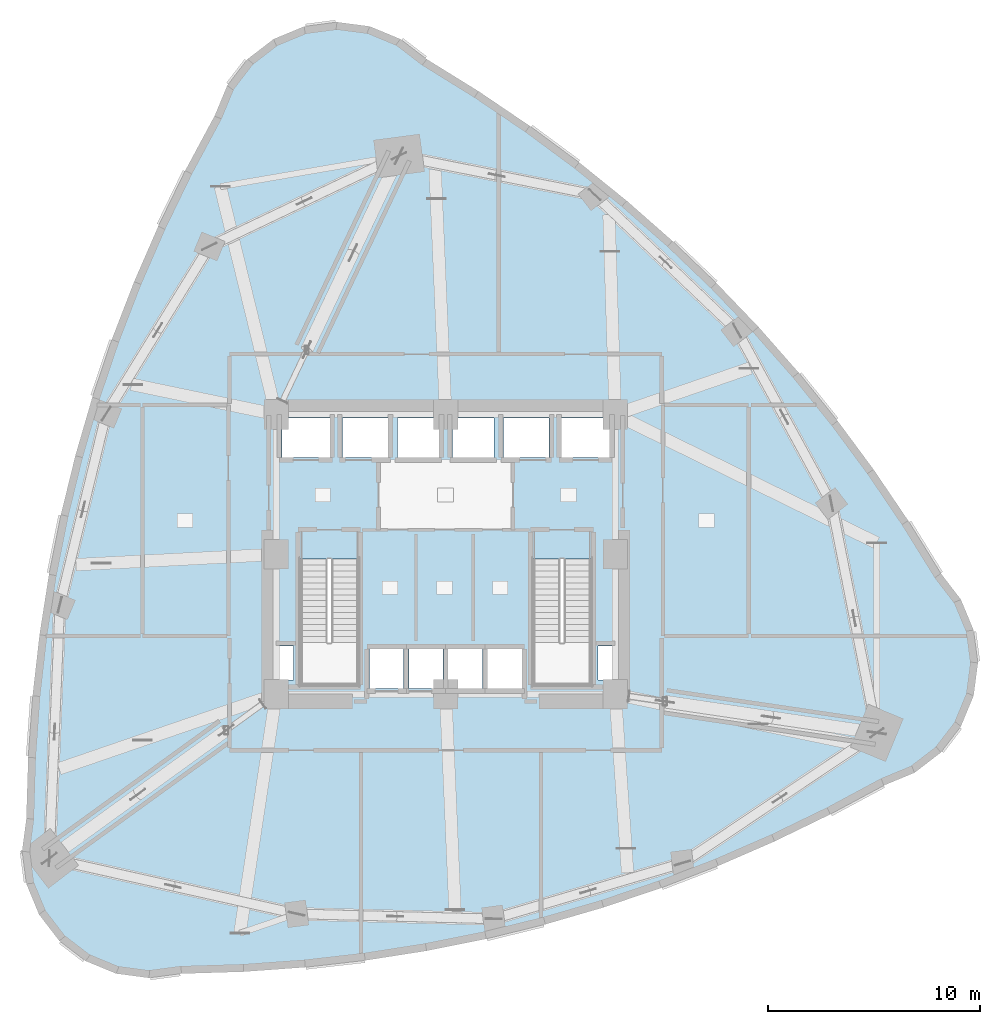
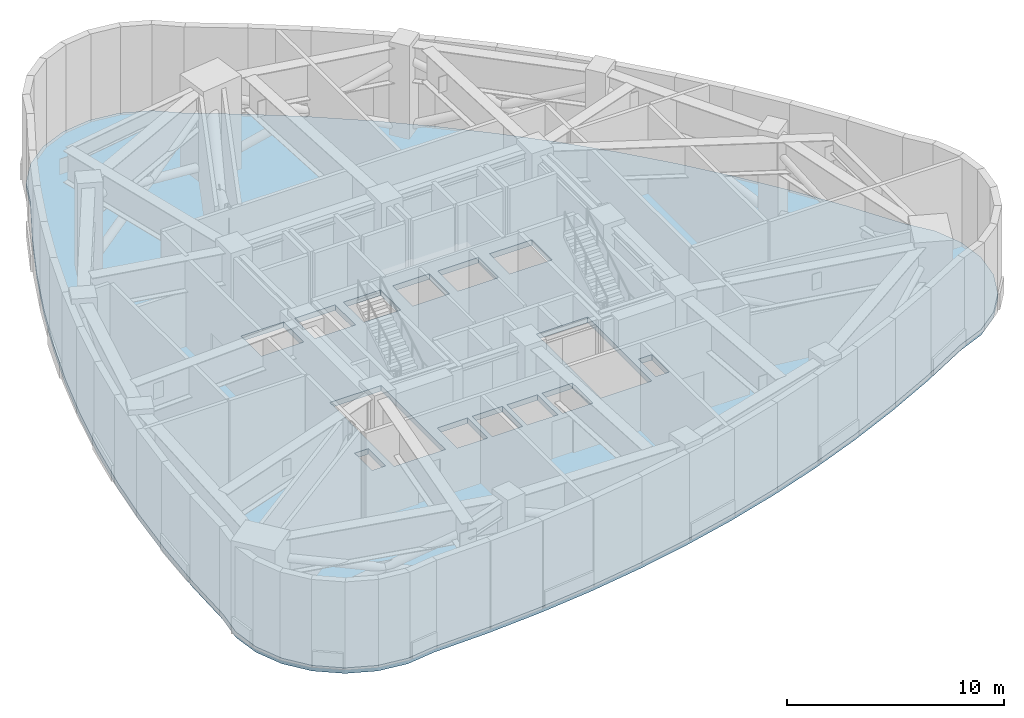
# One storey, part 4 of 13: 1 slab.
"""IFC4 building model written with IfcOpenShell, lengths in metres."""

from ifc_helpers import new_model, si_unit, direction, frame, origin, place, context, subcontext, project, spatial, polyline, outline, extrude, material, layer, layer_set, type_object, element, save


model = new_model("IFC4")

# Units and contexts
model_context = context("Model", 3, precision=1e-05, world=origin(), true_north=direction((0.0, 1.0)))
body_context = subcontext(model_context, "Body", "Model", "MODEL_VIEW")
ifc_project = project(units=[si_unit("LENGTHUNIT", "METRE"), si_unit("AREAUNIT", "SQUARE_METRE"), si_unit("VOLUMEUNIT", "CUBIC_METRE"), si_unit("PLANEANGLEUNIT", "RADIAN"), si_unit("MASSUNIT", "GRAM", prefix="KILO")], contexts=[model_context])

# Site, building, storey
site_placement = place(None, origin())
site = spatial("IfcSite", under=ifc_project, at=site_placement, CompositionType="ELEMENT")
building_placement = place(site_placement, origin())
building = spatial("IfcBuilding", under=site, at=building_placement, Name="Ndelora Gate Hotel", CompositionType="ELEMENT")
storey_placement = place(building_placement, frame((0.0, 0.0, 83.0)))
storey = spatial("IfcBuildingStorey", under=building, at=storey_placement, Name="L20", CompositionType="ELEMENT", Elevation=83.0)

# Slab
ifc_material = material(Name="Concrete C50/60", Category="concrete")
ifc_layer = layer(ifc_material, 0.31005859375)
ifc_layer_set = layer_set([ifc_layer], Name="Concrete C50/60")
slab_type = type_object("IfcSlabType", Name="SL-PLT-310", PredefinedType="FLOOR", material=ifc_layer_set)
slab_placement = place(storey_placement, frame((0.0, 0.0, -0.31005859375)))
element("IfcSlab", 1, at=slab_placement, inside=storey, type_object=slab_type, Name="L20 Structural Floor Slab", PredefinedType="FLOOR", context=body_context, shape_type="SweptSolid", body=[
    extrude(outline(polyline([(-1.025390625, 23.234130859375), (-2.226806640625, 24.156005859375), (-3.62548828125, 24.7353515625), (-5.126708984375, 24.932861328125), (-6.627685546875, 24.7353515625), (-8.026611328125, 24.156005859375), (-9.227783203125, 23.234130859375), (-10.149658203125, 22.032958984375), (-10.72900390625, 20.634033203125), (-12.118408203125, 18.04638671875), (-13.389404296875, 15.42724609375), (-14.542724609375, 12.7763671875), (-15.577880859375, 10.09375), (-16.494873046875, 7.379638671875), (-17.2939453125, 4.6337890625), (-17.974853515625, 1.8564453125), (-18.53759765625, -0.95263671875), (-18.982421875, -3.793212890625), (-19.309326171875, -6.66552734375), (-19.51806640625, -9.569580078125), (-19.608642578125, -12.505126953125), (-19.806396484375, -14.00634765625), (-19.608642578125, -15.50732421875), (-19.029296875, -16.90625), (-18.107421875, -18.107421875), (-16.90625, -19.029296875), (-15.50732421875, -19.608642578125), (-14.00634765625, -19.806396484375), (-12.505126953125, -19.608642578125), (-9.569580078125, -19.51806640625), (-6.66552734375, -19.309326171875), (-3.793212890625, -18.982421875), (-0.95263671875, -18.53759765625), (1.8564453125, -17.974853515625), (4.6337890625, -17.2939453125), (7.379638671875, -16.494873046875), (10.09375, -15.577880859375), (12.7763671875, -14.542724609375), (15.42724609375, -13.389404296875), (18.04638671875, -12.118408203125), (20.634033203125, -10.72900390625), (22.032958984375, -10.149658203125), (23.234130859375, -9.227783203125), (24.156005859375, -8.026611328125), (24.7353515625, -6.627685546875), (24.932861328125, -5.126708984375), (24.7353515625, -3.62548828125), (24.156005859375, -2.226806640625), (23.234130859375, -1.025390625), (21.687744140625, 1.471435546875), (20.05517578125, 3.882080078125), (18.3359375, 6.206298828125), (16.530517578125, 8.44384765625), (14.638427734375, 10.59521484375), (12.659912109375, 12.659912109375), (10.59521484375, 14.638427734375), (8.44384765625, 16.530517578125), (6.206298828125, 18.3359375), (3.882080078125, 20.05517578125), (1.471435546875, 21.687744140625), (-1.025390625, 23.234130859375)]), holes=[polyline([(-6.85009765625, -0.22998046875), (-6.85009765625, -6.14990234375), (-4.1298828125, -6.14990234375), (-4.1298828125, -0.22998046875), (-6.85009765625, -0.22998046875)]), polyline([(4.1298828125, -0.22998046875), (4.1298828125, -6.14990234375), (6.85009765625, -6.14990234375), (6.85009765625, -0.22998046875), (4.1298828125, -0.22998046875)]), polyline([(-7.72998046875, 4.570068359375), (-5.469970703125, 4.570068359375), (-5.469970703125, 6.429931640625), (-7.72998046875, 6.429931640625), (-7.72998046875, 4.570068359375)]), polyline([(5.469970703125, 4.570068359375), (7.72998046875, 4.570068359375), (7.72998046875, 6.429931640625), (5.469970703125, 6.429931640625), (5.469970703125, 4.570068359375)]), polyline([(-4.8798828125, 4.570068359375), (-2.719970703125, 4.570068359375), (-2.719970703125, 6.429931640625), (-4.8798828125, 6.429931640625), (-4.8798828125, 4.570068359375)]), polyline([(2.719970703125, 4.570068359375), (4.8798828125, 4.570068359375), (4.8798828125, 6.429931640625), (2.719970703125, 6.429931640625), (2.719970703125, 4.570068359375)]), polyline([(-3.60009765625, -6.330078125), (-1.97998046875, -6.330078125), (-1.97998046875, -4.469970703125), (-3.60009765625, -4.469970703125), (-3.60009765625, -6.330078125)]), polyline([(-1.739990234375, -6.330078125), (-0.1201171875, -6.330078125), (-0.1201171875, -4.469970703125), (-1.739990234375, -4.469970703125), (-1.739990234375, -6.330078125)]), polyline([(0.1201171875, -6.330078125), (1.739990234375, -6.330078125), (1.739990234375, -4.469970703125), (0.1201171875, -4.469970703125), (0.1201171875, -6.330078125)]), polyline([(1.97998046875, -6.330078125), (3.60009765625, -6.330078125), (3.60009765625, -4.469970703125), (1.97998046875, -4.469970703125), (1.97998046875, -6.330078125)]), polyline([(-2.280029296875, 4.570068359375), (-0.320068359375, 4.570068359375), (-0.320068359375, 6.429931640625), (-2.280029296875, 6.429931640625), (-2.280029296875, 4.570068359375)]), polyline([(0.320068359375, 4.570068359375), (2.280029296875, 4.570068359375), (2.280029296875, 6.429931640625), (0.320068359375, 6.429931640625), (0.320068359375, 4.570068359375)]), polyline([(-7.89990234375, -5.919921875), (-7.179931640625, -5.919921875), (-7.179931640625, -4.320068359375), (-7.89990234375, -4.320068359375), (-7.89990234375, -5.919921875)]), polyline([(7.179931640625, -5.919921875), (7.89990234375, -5.919921875), (7.89990234375, -4.320068359375), (7.179931640625, -4.320068359375), (7.179931640625, -5.919921875)])]), origin(), (0.0, 0.0, 1.0), 0.31005859375),
])

save(model, "model.ifc")
